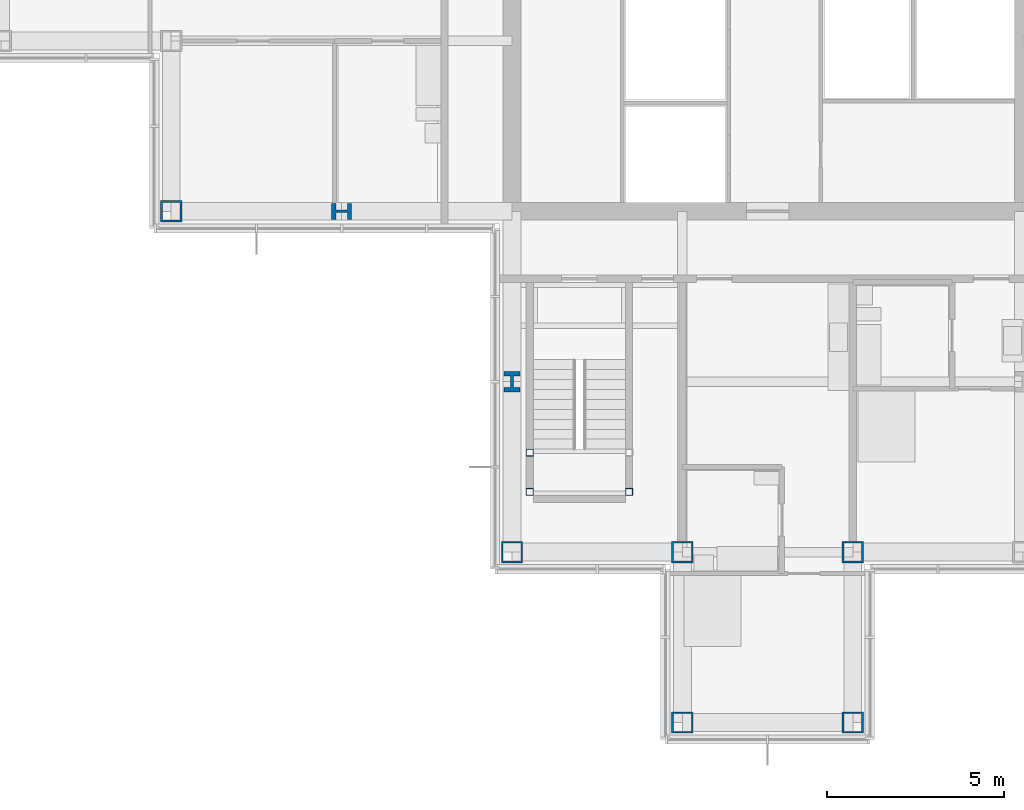
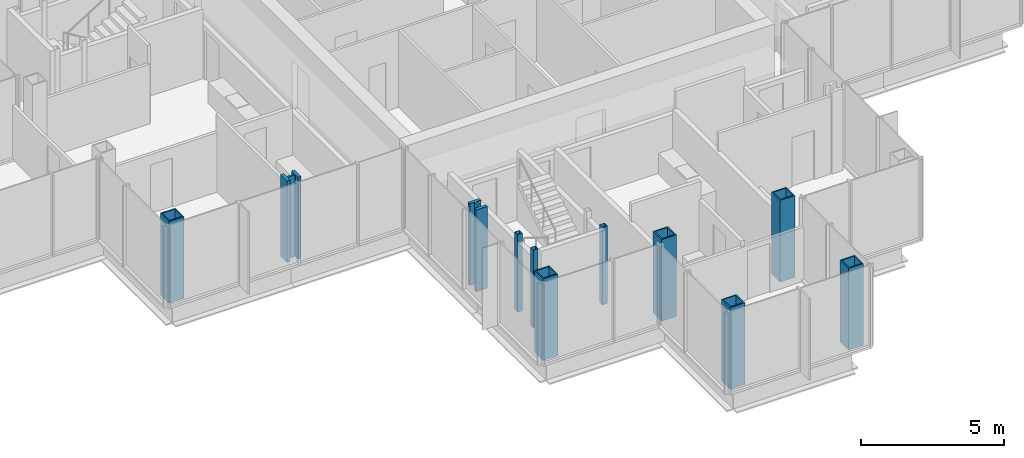
# One storey, part 1 of 15: 11 columns.
"""IFC4 building model written with IfcOpenShell, lengths in metres."""

from ifc_helpers import new_model, si_unit, direction, frame, origin, origin_2d, place, context, subcontext, project, spatial, hollow_rectangle, i_section, extrude, material, material_profile, profile_set, type_object, element, save


model = new_model("IFC4")

# Units and contexts
model_context = context("Model", 3, precision=1e-05, world=origin(), true_north=direction((0.0, 1.0)))
body_context = subcontext(model_context, "Body", "Model", "MODEL_VIEW")
ifc_project = project(units=[si_unit("LENGTHUNIT", "METRE"), si_unit("AREAUNIT", "SQUARE_METRE"), si_unit("VOLUMEUNIT", "CUBIC_METRE"), si_unit("PLANEANGLEUNIT", "RADIAN"), si_unit("MASSUNIT", "GRAM", prefix="KILO")], contexts=[model_context])

# Site, building, storey
site_placement = place(None, origin())
site = spatial("IfcSite", under=ifc_project, at=site_placement, CompositionType="ELEMENT")
building_placement = place(site_placement, origin())
building = spatial("IfcBuilding", under=site, at=building_placement, Name="Kvirike Care Tower", CompositionType="ELEMENT")
storey_placement = place(building_placement, frame((0.0, 0.0, 219.0)))
storey = spatial("IfcBuildingStorey", under=building, at=storey_placement, Name="L60", CompositionType="ELEMENT", Elevation=219.0)

# Columns
ifc_material_1 = material(Name="Steel S460", Category="steel")
ifc_material_profile_1 = material_profile(ifc_material_1, hollow_rectangle(XDim=0.60009765625, YDim=0.60009765625, WallThickness=0.050048828125, at=origin_2d()), Name="BX 600x600x50")
ifc_profile_set_1 = profile_set([ifc_material_profile_1], Name="Steel S460")
column_type_1 = type_object("IfcColumnType", Name="COLUMN BX 600x600x50", PredefinedType="COLUMN", material=ifc_profile_set_1)
for number, where, z_axis, x_axis, name in (
    (1, (4.800048828125, 28.800048828125, 0.0), (0.0, 0.0, 1.0), (0.0, 1.0, 0.0), "Column G4 L60"),
    (2, (14.39990234375, 19.199951171875, 0.0), (0.0, 0.0, 1.0), (0.0, 1.0, 0.0), "Column E6 L60"),
    (3, (19.199951171875, 14.39990234375, 0.0), (0.0, 0.0, 1.0), (0.0, 1.0, 0.0), "Column D7 L60"),
    (4, (19.199951171875, 19.199951171875, 0.0), (0.0, 0.0, 1.0), (0.0, 1.0, 0.0), "Column E7 L60"),
    (5, (24.0, 14.39990234375, 0.0), (0.0, 0.0, 1.0), (0.0, 1.0, 0.0), "Column D8 L60"),
    (6, (24.0, 19.199951171875, 0.0), (0.0, 0.0, 1.0), (0.0, 1.0, 0.0), "Column E8 L60"),
):
    element("IfcColumn", number, at=place(storey_placement, frame(where, z_axis=z_axis, x_axis=x_axis)), inside=storey, type_object=column_type_1, Name=name, PredefinedType="COLUMN", context=body_context, shape_type="SweptSolid", body=[
        extrude(hollow_rectangle(XDim=0.60009765625, YDim=0.60009765625, WallThickness=0.050048828125, at=origin_2d()), origin(), (0.0, 0.0, 1.0), 3.5),
    ])
ifc_material_2 = material(Name="Steel S460", Category="steel")
ifc_material_profile_2 = material_profile(ifc_material_2, i_section(OverallWidth=0.4541015625, OverallDepth=0.569091796875, WebThickness=0.077880859375, FlangeThickness=0.125, FilletRadius=0.014892578125, at=origin_2d()), Name="HD 400x1086")
ifc_profile_set_2 = profile_set([ifc_material_profile_2], Name="Steel S460")
column_type_2 = type_object("IfcColumnType", Name="COLUMN HD 400x1086", PredefinedType="COLUMN", material=ifc_profile_set_2)
for number, where, z_axis, x_axis, name in (
    (7, (9.60009765625, 28.800048828125, 0.0), (0.0, 0.0, 1.0), (0.0, 1.0, 0.0), "Column G5 L60"),
    (8, (14.39990234375, 24.0, 0.0), (0.0, 0.0, 1.0), (1.0, 0.0, 0.0), "Column F6 L60"),
):
    element("IfcColumn", number, at=place(storey_placement, frame(where, z_axis=z_axis, x_axis=x_axis)), inside=storey, type_object=column_type_2, Name=name, PredefinedType="COLUMN", context=body_context, shape_type="SweptSolid", body=[
        extrude(i_section(OverallWidth=0.4541015625, OverallDepth=0.569091796875, WebThickness=0.077880859375, FlangeThickness=0.125, FilletRadius=0.014892578125, at=origin_2d()), origin(), (0.0, 0.0, 1.0), 3.5),
    ])
ifc_material_3 = material(Name="Steel S460", Category="steel")
ifc_material_profile_3 = material_profile(ifc_material_3, hollow_rectangle(XDim=0.199951171875, YDim=0.199951171875, WallThickness=0.008056640625, at=origin_2d()), Name="SHS 200x200x8")
ifc_profile_set_3 = profile_set([ifc_material_profile_3], Name="Steel S460")
column_type_3 = type_object("IfcColumnType", Name="STAIR POST SHS 200x200x8", PredefinedType="COLUMN", material=ifc_profile_set_3)
for number, where, z_axis, x_axis, name in (
    (9, (14.89990234375, 20.89990234375, 0.0), (0.0, 0.0, 1.0), (1.0, 0.0, 0.0), "Stair 5 post 1 L60"),
    (10, (17.699951171875, 20.89990234375, 0.0), (0.0, 0.0, 1.0), (1.0, 0.0, 0.0), "Stair 5 post 2 L60"),
    (11, (14.89990234375, 22.0, 0.0), (0.0, 0.0, 1.0), (1.0, 0.0, 0.0), "Stair 5 post 3 L60"),
):
    element("IfcColumn", number, at=place(storey_placement, frame(where, z_axis=z_axis, x_axis=x_axis)), inside=storey, type_object=column_type_3, Name=name, PredefinedType="COLUMN", context=body_context, shape_type="SweptSolid", body=[
        extrude(hollow_rectangle(XDim=0.199951171875, YDim=0.199951171875, WallThickness=0.008056640625, at=origin_2d()), origin(), (0.0, 0.0, 1.0), 3.330078125),
    ])

save(model, "model.ifc")
